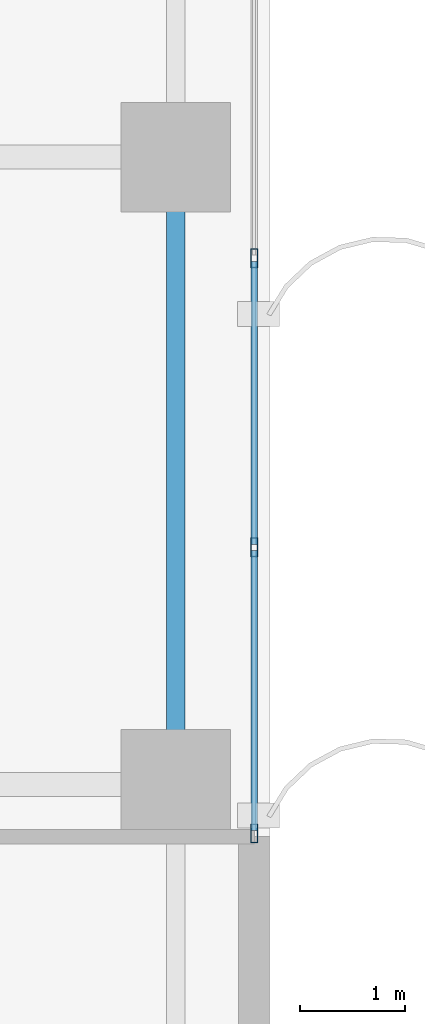
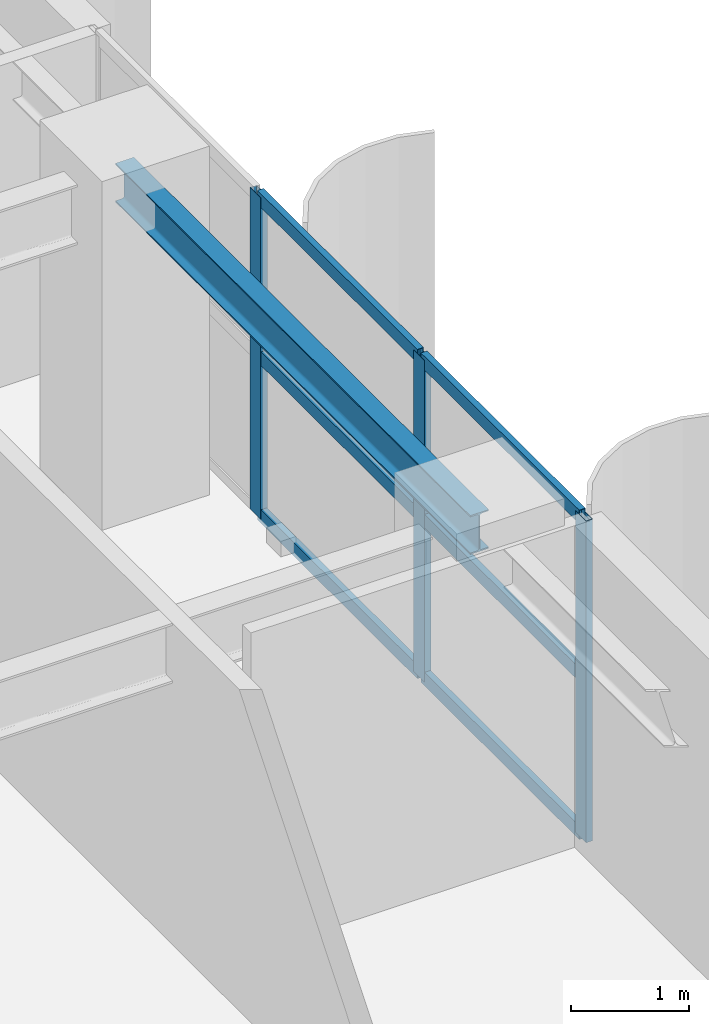
# One storey, part 11 of 22: 9 members, 1 beam, 1 element without a shape of its own.
"""IFC4 building model written with IfcOpenShell, lengths in metres."""

from ifc_helpers import new_model, si_unit, direction, frame, origin, origin_2d, place, context, subcontext, project, spatial, hollow_rectangle, i_section, extrude, source, transform, mapped, material, layer, layer_set, material_profile, profile_set, type_object, element, aggregate, save


model = new_model("IFC4")

# Units and contexts
model_context = context("Model", 3, precision=1e-05, world=origin(), true_north=direction((0.0, 1.0)))
body_context = subcontext(model_context, "Body", "Model", "MODEL_VIEW")
ifc_project = project(units=[si_unit("LENGTHUNIT", "METRE"), si_unit("AREAUNIT", "SQUARE_METRE"), si_unit("VOLUMEUNIT", "CUBIC_METRE"), si_unit("PLANEANGLEUNIT", "RADIAN"), si_unit("MASSUNIT", "GRAM", prefix="KILO")], contexts=[model_context])

# Site, building, storey
site_placement = place(None, origin())
site = spatial("IfcSite", under=ifc_project, at=site_placement, CompositionType="ELEMENT")
building_placement = place(site_placement, origin())
building = spatial("IfcBuilding", under=site, at=building_placement, Name="Khoralis Quay Care Tower", CompositionType="ELEMENT")
storey_placement = place(building_placement, frame((0.0, 0.0, 141.300048828125)))
storey = spatial("IfcBuildingStorey", under=building, at=storey_placement, Name="L37", CompositionType="ELEMENT", Elevation=141.300048828125)

# Beam
ifc_material_1 = material(Name="Steel S355", Category="steel")
ifc_material_profile_1 = material_profile(ifc_material_1, i_section(OverallWidth=0.179931640625, OverallDepth=0.39990234375, WebThickness=0.008544921875, FlangeThickness=0.013427734375, FilletRadius=0.02099609375, at=origin_2d()), Name="Steel S355")
ifc_profile_set_1 = profile_set([ifc_material_profile_1], Name="Steel S355")
beam_type = type_object("IfcBeamType", Name="BM-IPE400", PredefinedType="SPANDREL", material=ifc_profile_set_1)
shared_shape_1 = source(origin(), body_context, "Body", "SweptSolid", [
    extrude(i_section(OverallWidth=0.179931640625, OverallDepth=0.39990234375, WebThickness=0.008544921875, FlangeThickness=0.013427734375, FilletRadius=0.02099609375, at=origin_2d()), origin(), (0.0, 0.0, 1.0), 6.0),
])
beam_placement = place(storey_placement, frame((44.10009765625, 18.0, 3.119873046875), z_axis=(0.0, 1.0, 0.0), x_axis=(-1.0, 0.0, 0.0)))
element("IfcBeam", 1, at=beam_placement, inside=storey, type_object=beam_type, Name="BM-TSP-L37-18", PredefinedType="SPANDREL", context=body_context, shape_type="MappedRepresentation", body=[
    mapped(shared_shape_1, transform((0.0, 0.0, 0.0), scale=1.0)),
])

# Curtain wall, members
ifc_material_2 = material(Name="Pale anodised aluminium", Category="aluminium")
ifc_layer = layer(ifc_material_2, 0.169921875)
ifc_layer_set = layer_set([ifc_layer], Name="Pale anodised aluminium")
curtain_wall_type = type_object("IfcCurtainWallType", Name="CW-SYS-Z2", PredefinedType="NOTDEFINED", material=ifc_layer_set)
curtain_wall_placement = place(storey_placement, origin())
curtain_wall = element("IfcCurtainWall", 2, at=curtain_wall_placement, inside=storey, type_object=curtain_wall_type, Name="L37 Unitised Curtain Wall CW-L37-P1-E5", PredefinedType="NOTDEFINED")
ifc_material_profile_2 = material_profile(ifc_material_2, hollow_rectangle(XDim=0.06494140625, YDim=0.179931640625, WallThickness=0.00390625, at=origin_2d()), Name="Pale anodised aluminium")
ifc_profile_set_2 = profile_set([ifc_material_profile_2], Name="Pale anodised aluminium")
member_type_1 = type_object("IfcMemberType", Name="CW-MUL-180", PredefinedType="MULLION", material=ifc_profile_set_2)
shared_shape_2 = source(origin(), body_context, "Body", "SweptSolid", [
    extrude(hollow_rectangle(XDim=0.06494140625, YDim=0.179931640625, WallThickness=0.00390625, at=origin_2d()), origin(), (0.0, 0.0, 1.0), 3.320068359375),
])
member_1_placement = place(storey_placement, frame((44.85009765625, 17.530029296875, 0.0), z_axis=(0.0, 0.0, 1.0), x_axis=(-1.0, 0.0, 0.0)))
member_1 = element("IfcMember", 3, at=member_1_placement, type_object=member_type_1, Name="CW2 mullion 1", PredefinedType="MULLION", context=body_context, shape_type="MappedRepresentation", body=[
    mapped(shared_shape_2, transform((0.0, 0.0, 0.0), scale=1.0)),
])
member_2_placement = place(storey_placement, frame((44.85009765625, 20.2666015625, 0.0), z_axis=(0.0, 0.0, 1.0), x_axis=(-1.0, 0.0, 0.0)))
member_2 = element("IfcMember", 4, at=member_2_placement, type_object=member_type_1, Name="CW2 mullion 2", PredefinedType="MULLION", context=body_context, shape_type="MappedRepresentation", body=[
    mapped(shared_shape_2, transform((0.0, 0.0, 0.0), scale=1.0)),
])
member_3_placement = place(storey_placement, frame((44.85009765625, 23.033447265625, 0.0), z_axis=(0.0, 0.0, 1.0), x_axis=(-1.0, 0.0, 0.0)))
member_3 = element("IfcMember", 5, at=member_3_placement, type_object=member_type_1, Name="CW2 mullion 3", PredefinedType="MULLION", context=body_context, shape_type="MappedRepresentation", body=[
    mapped(shared_shape_2, transform((0.0, 0.0, 0.0), scale=1.0)),
])
ifc_material_profile_3 = material_profile(ifc_material_2, hollow_rectangle(XDim=0.06005859375, YDim=0.139892578125, WallThickness=0.00390625, at=origin_2d()), Name="Pale anodised aluminium")
ifc_profile_set_3 = profile_set([ifc_material_profile_3], Name="Pale anodised aluminium")
member_type_2 = type_object("IfcMemberType", Name="CW-TRN-140", PredefinedType="USERDEFINED", material=ifc_profile_set_3)
shared_shape_3 = source(origin(), body_context, "Body", "SweptSolid", [
    extrude(hollow_rectangle(XDim=0.06005859375, YDim=0.139892578125, WallThickness=0.00390625, at=origin_2d()), origin(), (0.0, 0.0, 1.0), 2.676513671875),
])
member_4_placement = place(storey_placement, frame((44.85009765625, 17.56005859375, 0.030029296875), z_axis=(0.0, 1.0, 0.0), x_axis=(-1.0, 0.0, 0.0)))
member_4 = element("IfcMember", 6, at=member_4_placement, type_object=member_type_2, Name="CW2 transom 1.1", ObjectType="TRANSOM", PredefinedType="USERDEFINED", context=body_context, shape_type="MappedRepresentation", body=[
    mapped(shared_shape_3, transform((0.0, 0.0, 0.0), scale=1.0)),
])
member_5_placement = place(storey_placement, frame((44.85009765625, 17.56005859375, 1.659912109375), z_axis=(0.0, 1.0, 0.0), x_axis=(-1.0, 0.0, 0.0)))
member_5 = element("IfcMember", 7, at=member_5_placement, type_object=member_type_2, Name="CW2 transom 1.2", ObjectType="TRANSOM", PredefinedType="USERDEFINED", context=body_context, shape_type="MappedRepresentation", body=[
    mapped(shared_shape_3, transform((0.0, 0.0, 0.0), scale=1.0)),
])
member_6_placement = place(storey_placement, frame((44.85009765625, 17.56005859375, 3.2900390625), z_axis=(0.0, 1.0, 0.0), x_axis=(-1.0, 0.0, 0.0)))
member_6 = element("IfcMember", 8, at=member_6_placement, type_object=member_type_2, Name="CW2 transom 1.3", ObjectType="TRANSOM", PredefinedType="USERDEFINED", context=body_context, shape_type="MappedRepresentation", body=[
    mapped(shared_shape_3, transform((0.0, 0.0, 0.0), scale=1.0)),
])
shared_shape_4 = source(origin(), body_context, "Body", "SweptSolid", [
    extrude(hollow_rectangle(XDim=0.06005859375, YDim=0.139892578125, WallThickness=0.00390625, at=origin_2d()), origin(), (0.0, 0.0, 1.0), 2.706787109375),
])
member_7_placement = place(storey_placement, frame((44.85009765625, 20.296630859375, 0.030029296875), z_axis=(0.0, 1.0, 0.0), x_axis=(-1.0, 0.0, 0.0)))
member_7 = element("IfcMember", 9, at=member_7_placement, type_object=member_type_2, Name="CW2 transom 2.1", ObjectType="TRANSOM", PredefinedType="USERDEFINED", context=body_context, shape_type="MappedRepresentation", body=[
    mapped(shared_shape_4, transform((0.0, 0.0, 0.0), scale=1.0)),
])
member_8_placement = place(storey_placement, frame((44.85009765625, 20.296630859375, 1.659912109375), z_axis=(0.0, 1.0, 0.0), x_axis=(-1.0, 0.0, 0.0)))
member_8 = element("IfcMember", 10, at=member_8_placement, type_object=member_type_2, Name="CW2 transom 2.2", ObjectType="TRANSOM", PredefinedType="USERDEFINED", context=body_context, shape_type="MappedRepresentation", body=[
    mapped(shared_shape_4, transform((0.0, 0.0, 0.0), scale=1.0)),
])
member_9_placement = place(storey_placement, frame((44.85009765625, 20.296630859375, 3.2900390625), z_axis=(0.0, 1.0, 0.0), x_axis=(-1.0, 0.0, 0.0)))
member_9 = element("IfcMember", 11, at=member_9_placement, type_object=member_type_2, Name="CW2 transom 2.3", ObjectType="TRANSOM", PredefinedType="USERDEFINED", context=body_context, shape_type="MappedRepresentation", body=[
    mapped(shared_shape_4, transform((0.0, 0.0, 0.0), scale=1.0)),
])
aggregate(curtain_wall, [member_1, member_2, member_3, member_4, member_5, member_6, member_7, member_8, member_9])

save(model, "model.ifc")
